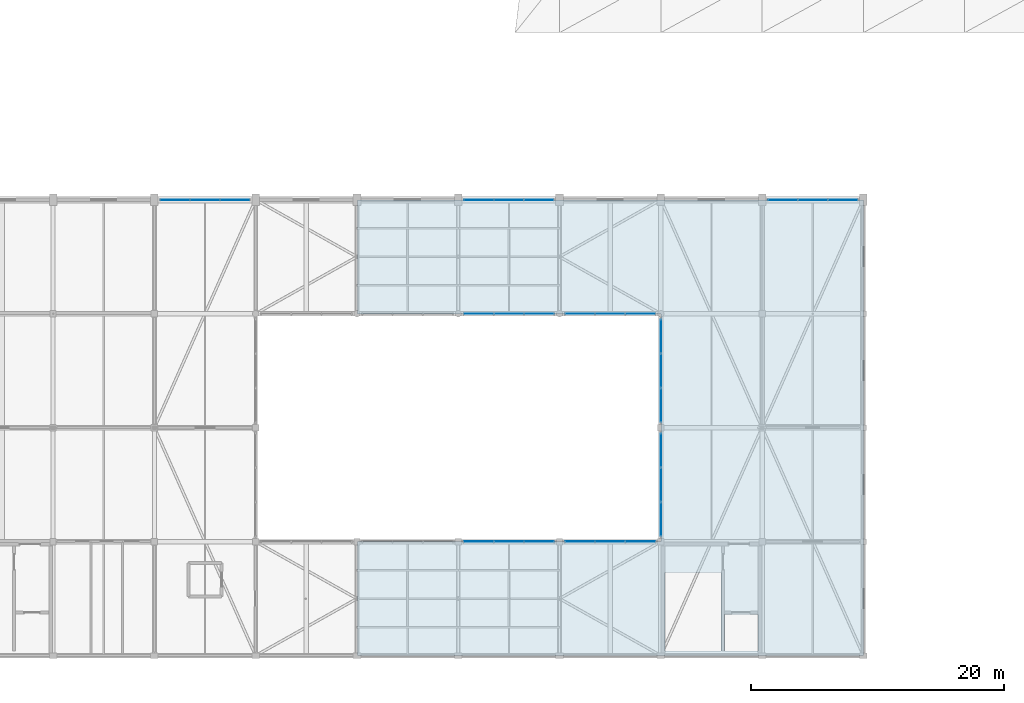
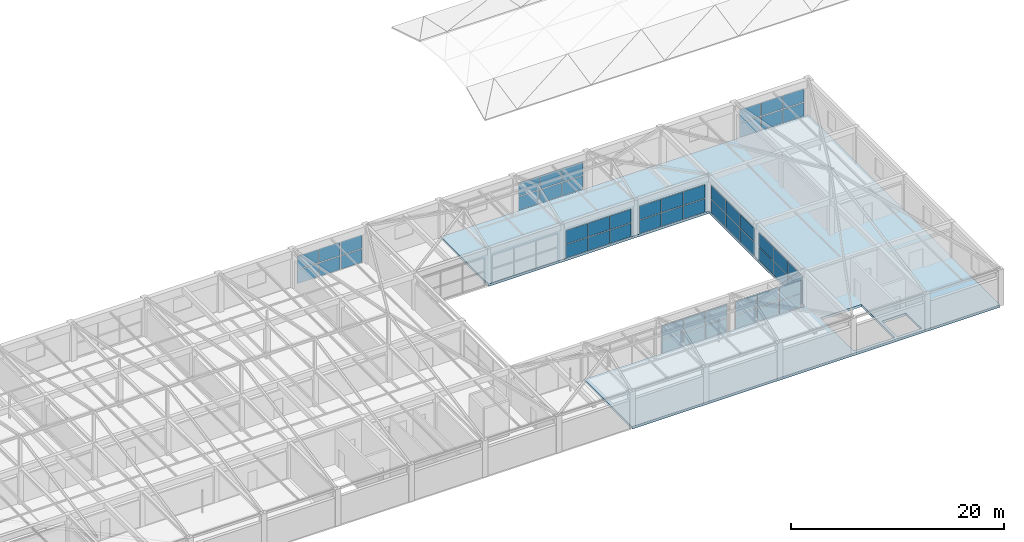
# One storey, part 50 of 65: 54 plates, 1 slab, 9 elements without a shape of their own.
"""IFC4 building model written with IfcOpenShell, lengths in metres."""

from ifc_helpers import new_model, si_unit, direction, frame, origin, origin_2d, place, context, subcontext, project, spatial, polyline, rectangle, outline, extrude, material, layer, layer_set, type_object, element, aggregate, save


model = new_model("IFC4")

# Units and contexts
model_context = context("Model", 3, precision=1e-05, world=origin(), true_north=direction((0.0, 1.0)))
body_context = subcontext(model_context, "Body", "Model", "MODEL_VIEW")
ifc_project = project(units=[si_unit("LENGTHUNIT", "METRE"), si_unit("AREAUNIT", "SQUARE_METRE"), si_unit("VOLUMEUNIT", "CUBIC_METRE"), si_unit("PLANEANGLEUNIT", "RADIAN"), si_unit("MASSUNIT", "GRAM", prefix="KILO")], contexts=[model_context])

# Site, building, storey
site_placement = place(None, origin())
site = spatial("IfcSite", under=ifc_project, at=site_placement, CompositionType="ELEMENT")
building_placement = place(site_placement, origin())
building = spatial("IfcBuilding", under=site, at=building_placement, Name="Varnabhumi Central Station", CompositionType="ELEMENT")
storey_placement = place(building_placement, frame((0.0, 0.0, 24.60009765625)))
storey = spatial("IfcBuildingStorey", under=building, at=storey_placement, Name="L05", CompositionType="ELEMENT", Elevation=24.60009765625)

# Curtain wall, plates
ifc_material_1 = material(Name="Anodised aluminium 6063-T6", Category="aluminium")
curtain_wall_type_1 = type_object("IfcCurtainWallType", Name="CW-PATIO-LOGGIA-L3", PredefinedType="NOTDEFINED", material=ifc_material_1)
curtain_wall_1_placement = place(storey_placement, origin())
curtain_wall_1 = element("IfcCurtainWall", 1, at=curtain_wall_1_placement, inside=storey, type_object=curtain_wall_type_1, Name="Curtain Wall CW-SP5S3", PredefinedType="NOTDEFINED")
ifc_material_2 = material(Name="Laminated low-E double glazing", Category="glass")
ifc_layer_1 = layer(ifc_material_2, 0.035888671875, Name="Laminated low-E double glazing", Category="glass")
ifc_layer_set_1 = layer_set([ifc_layer_1], Name="Laminated low-E double glazing")
plate_type_1 = type_object("IfcPlateType", Name="CW-PNL-GLZ-2", PredefinedType="CURTAIN_PANEL", material=ifc_layer_set_1)
plate_1_placement = place(storey_placement, frame((129.61328125, 9.0, 0.039794921875), z_axis=(0.0, 0.0, 1.0), x_axis=(1.0, 0.0, 0.0)))
plate_1 = element("IfcPlate", 2, at=plate_1_placement, type_object=plate_type_1, Name="Glazed Panel CW-SP5S3-P11", PredefinedType="CURTAIN_PANEL", context=body_context, shape_type="SweptSolid", body=[
    extrude(rectangle(XDim=2.306640625, YDim=0.035888671875, at=origin_2d()), origin(), (0.0, 0.0, 1.0), 1.5400390625),
])
plate_2_placement = place(storey_placement, frame((129.61328125, 9.0, 1.659912109375), z_axis=(0.0, 0.0, 1.0), x_axis=(1.0, 0.0, 0.0)))
plate_2 = element("IfcPlate", 3, at=plate_2_placement, type_object=plate_type_1, Name="Glazed Panel CW-SP5S3-P12", PredefinedType="CURTAIN_PANEL", context=body_context, shape_type="SweptSolid", body=[
    extrude(rectangle(XDim=2.306640625, YDim=0.035888671875, at=origin_2d()), origin(), (0.0, 0.0, 1.0), 1.5400390625),
])
plate_3_placement = place(storey_placement, frame((132.0, 9.0, 0.039794921875), z_axis=(0.0, 0.0, 1.0), x_axis=(1.0, 0.0, 0.0)))
plate_3 = element("IfcPlate", 4, at=plate_3_placement, type_object=plate_type_1, Name="Glazed Panel CW-SP5S3-P21", PredefinedType="CURTAIN_PANEL", context=body_context, shape_type="SweptSolid", body=[
    extrude(rectangle(XDim=2.306640625, YDim=0.035888671875, at=origin_2d()), origin(), (0.0, 0.0, 1.0), 1.5400390625),
])
plate_4_placement = place(storey_placement, frame((132.0, 9.0, 1.659912109375), z_axis=(0.0, 0.0, 1.0), x_axis=(1.0, 0.0, 0.0)))
plate_4 = element("IfcPlate", 5, at=plate_4_placement, type_object=plate_type_1, Name="Glazed Panel CW-SP5S3-P22", PredefinedType="CURTAIN_PANEL", context=body_context, shape_type="SweptSolid", body=[
    extrude(rectangle(XDim=2.306640625, YDim=0.035888671875, at=origin_2d()), origin(), (0.0, 0.0, 1.0), 1.5400390625),
])
plate_5_placement = place(storey_placement, frame((134.38671875, 9.0, 0.039794921875), z_axis=(0.0, 0.0, 1.0), x_axis=(1.0, 0.0, 0.0)))
plate_5 = element("IfcPlate", 6, at=plate_5_placement, type_object=plate_type_1, Name="Glazed Panel CW-SP5S3-P31", PredefinedType="CURTAIN_PANEL", context=body_context, shape_type="SweptSolid", body=[
    extrude(rectangle(XDim=2.306640625, YDim=0.035888671875, at=origin_2d()), origin(), (0.0, 0.0, 1.0), 1.5400390625),
])
plate_6_placement = place(storey_placement, frame((134.38671875, 9.0, 1.659912109375), z_axis=(0.0, 0.0, 1.0), x_axis=(1.0, 0.0, 0.0)))
plate_6 = element("IfcPlate", 7, at=plate_6_placement, type_object=plate_type_1, Name="Glazed Panel CW-SP5S3-P32", PredefinedType="CURTAIN_PANEL", context=body_context, shape_type="SweptSolid", body=[
    extrude(rectangle(XDim=2.306640625, YDim=0.035888671875, at=origin_2d()), origin(), (0.0, 0.0, 1.0), 1.5400390625),
])
aggregate(curtain_wall_1, [plate_1, plate_2, plate_3, plate_4, plate_5, plate_6])

curtain_wall_2_placement = place(storey_placement, origin())
curtain_wall_2 = element("IfcCurtainWall", 8, at=curtain_wall_2_placement, inside=storey, type_object=curtain_wall_type_1, Name="Curtain Wall CW-SP5N3", PredefinedType="NOTDEFINED")
plate_7_placement = place(storey_placement, frame((129.61328125, 27.0, 0.039794921875), z_axis=(0.0, 0.0, 1.0), x_axis=(1.0, 0.0, 0.0)))
plate_7 = element("IfcPlate", 9, at=plate_7_placement, type_object=plate_type_1, Name="Glazed Panel CW-SP5N3-P11", PredefinedType="CURTAIN_PANEL", context=body_context, shape_type="SweptSolid", body=[
    extrude(rectangle(XDim=2.306640625, YDim=0.035888671875, at=origin_2d()), origin(), (0.0, 0.0, 1.0), 1.5400390625),
])
plate_8_placement = place(storey_placement, frame((129.61328125, 27.0, 1.659912109375), z_axis=(0.0, 0.0, 1.0), x_axis=(1.0, 0.0, 0.0)))
plate_8 = element("IfcPlate", 10, at=plate_8_placement, type_object=plate_type_1, Name="Glazed Panel CW-SP5N3-P12", PredefinedType="CURTAIN_PANEL", context=body_context, shape_type="SweptSolid", body=[
    extrude(rectangle(XDim=2.306640625, YDim=0.035888671875, at=origin_2d()), origin(), (0.0, 0.0, 1.0), 1.5400390625),
])
plate_9_placement = place(storey_placement, frame((132.0, 27.0, 0.039794921875), z_axis=(0.0, 0.0, 1.0), x_axis=(1.0, 0.0, 0.0)))
plate_9 = element("IfcPlate", 11, at=plate_9_placement, type_object=plate_type_1, Name="Glazed Panel CW-SP5N3-P21", PredefinedType="CURTAIN_PANEL", context=body_context, shape_type="SweptSolid", body=[
    extrude(rectangle(XDim=2.306640625, YDim=0.035888671875, at=origin_2d()), origin(), (0.0, 0.0, 1.0), 1.5400390625),
])
plate_10_placement = place(storey_placement, frame((132.0, 27.0, 1.659912109375), z_axis=(0.0, 0.0, 1.0), x_axis=(1.0, 0.0, 0.0)))
plate_10 = element("IfcPlate", 12, at=plate_10_placement, type_object=plate_type_1, Name="Glazed Panel CW-SP5N3-P22", PredefinedType="CURTAIN_PANEL", context=body_context, shape_type="SweptSolid", body=[
    extrude(rectangle(XDim=2.306640625, YDim=0.035888671875, at=origin_2d()), origin(), (0.0, 0.0, 1.0), 1.5400390625),
])
plate_11_placement = place(storey_placement, frame((134.38671875, 27.0, 0.039794921875), z_axis=(0.0, 0.0, 1.0), x_axis=(1.0, 0.0, 0.0)))
plate_11 = element("IfcPlate", 13, at=plate_11_placement, type_object=plate_type_1, Name="Glazed Panel CW-SP5N3-P31", PredefinedType="CURTAIN_PANEL", context=body_context, shape_type="SweptSolid", body=[
    extrude(rectangle(XDim=2.306640625, YDim=0.035888671875, at=origin_2d()), origin(), (0.0, 0.0, 1.0), 1.5400390625),
])
plate_12_placement = place(storey_placement, frame((134.38671875, 27.0, 1.659912109375), z_axis=(0.0, 0.0, 1.0), x_axis=(1.0, 0.0, 0.0)))
plate_12 = element("IfcPlate", 14, at=plate_12_placement, type_object=plate_type_1, Name="Glazed Panel CW-SP5N3-P32", PredefinedType="CURTAIN_PANEL", context=body_context, shape_type="SweptSolid", body=[
    extrude(rectangle(XDim=2.306640625, YDim=0.035888671875, at=origin_2d()), origin(), (0.0, 0.0, 1.0), 1.5400390625),
])
aggregate(curtain_wall_2, [plate_7, plate_8, plate_9, plate_10, plate_11, plate_12])

curtain_wall_type_2 = type_object("IfcCurtainWallType", Name="CW-SPINE-SCREEN-L0", PredefinedType="NOTDEFINED", material=ifc_material_1)
curtain_wall_3_placement = place(storey_placement, origin())
curtain_wall_3 = element("IfcCurtainWall", 15, at=curtain_wall_3_placement, inside=storey, type_object=curtain_wall_type_2, Name="Curtain Wall CW-SS515", PredefinedType="NOTDEFINED")
ifc_layer_2 = layer(ifc_material_2, 0.035888671875, Name="Laminated low-E double glazing", Category="glass")
ifc_layer_set_2 = layer_set([ifc_layer_2], Name="Laminated low-E double glazing")
plate_type_2 = type_object("IfcPlateType", Name="CW-PNL-GLZ-3", PredefinedType="CURTAIN_PANEL", material=ifc_layer_set_2)
plate_13_placement = place(storey_placement, frame((153.63330078125, 36.0, 0.039794921875), z_axis=(0.0, 0.0, 1.0), x_axis=(1.0, 0.0, 0.0)))
plate_13 = element("IfcPlate", 16, at=plate_13_placement, type_object=plate_type_2, Name="Glazed Panel CW-SS515-P11", PredefinedType="CURTAIN_PANEL", context=body_context, shape_type="SweptSolid", body=[
    extrude(rectangle(XDim=2.28662109375, YDim=0.035888671875, at=origin_2d()), origin(), (0.0, 0.0, 1.0), 1.5400390625),
])
plate_14_placement = place(storey_placement, frame((153.63330078125, 36.0, 1.659912109375), z_axis=(0.0, 0.0, 1.0), x_axis=(1.0, 0.0, 0.0)))
plate_14 = element("IfcPlate", 17, at=plate_14_placement, type_object=plate_type_2, Name="Glazed Panel CW-SS515-P12", PredefinedType="CURTAIN_PANEL", context=body_context, shape_type="SweptSolid", body=[
    extrude(rectangle(XDim=2.28662109375, YDim=0.035888671875, at=origin_2d()), origin(), (0.0, 0.0, 1.0), 1.5400390625),
])
plate_15_placement = place(storey_placement, frame((156.0, 36.0, 0.039794921875), z_axis=(0.0, 0.0, 1.0), x_axis=(1.0, 0.0, 0.0)))
plate_15 = element("IfcPlate", 18, at=plate_15_placement, type_object=plate_type_2, Name="Glazed Panel CW-SS515-P21", PredefinedType="CURTAIN_PANEL", context=body_context, shape_type="SweptSolid", body=[
    extrude(rectangle(XDim=2.28662109375, YDim=0.035888671875, at=origin_2d()), origin(), (0.0, 0.0, 1.0), 1.5400390625),
])
plate_16_placement = place(storey_placement, frame((156.0, 36.0, 1.659912109375), z_axis=(0.0, 0.0, 1.0), x_axis=(1.0, 0.0, 0.0)))
plate_16 = element("IfcPlate", 19, at=plate_16_placement, type_object=plate_type_2, Name="Glazed Panel CW-SS515-P22", PredefinedType="CURTAIN_PANEL", context=body_context, shape_type="SweptSolid", body=[
    extrude(rectangle(XDim=2.28662109375, YDim=0.035888671875, at=origin_2d()), origin(), (0.0, 0.0, 1.0), 1.5400390625),
])
plate_17_placement = place(storey_placement, frame((158.36669921875, 36.0, 0.039794921875), z_axis=(0.0, 0.0, 1.0), x_axis=(1.0, 0.0, 0.0)))
plate_17 = element("IfcPlate", 20, at=plate_17_placement, type_object=plate_type_2, Name="Glazed Panel CW-SS515-P31", PredefinedType="CURTAIN_PANEL", context=body_context, shape_type="SweptSolid", body=[
    extrude(rectangle(XDim=2.28662109375, YDim=0.035888671875, at=origin_2d()), origin(), (0.0, 0.0, 1.0), 1.5400390625),
])
plate_18_placement = place(storey_placement, frame((158.36669921875, 36.0, 1.659912109375), z_axis=(0.0, 0.0, 1.0), x_axis=(1.0, 0.0, 0.0)))
plate_18 = element("IfcPlate", 21, at=plate_18_placement, type_object=plate_type_2, Name="Glazed Panel CW-SS515-P32", PredefinedType="CURTAIN_PANEL", context=body_context, shape_type="SweptSolid", body=[
    extrude(rectangle(XDim=2.28662109375, YDim=0.035888671875, at=origin_2d()), origin(), (0.0, 0.0, 1.0), 1.5400390625),
])
aggregate(curtain_wall_3, [plate_13, plate_14, plate_15, plate_16, plate_17, plate_18])

curtain_wall_4_placement = place(storey_placement, origin())
curtain_wall_4 = element("IfcCurtainWall", 22, at=curtain_wall_4_placement, inside=storey, type_object=curtain_wall_type_1, Name="Curtain Wall CW-SP5W1", PredefinedType="NOTDEFINED")
plate_19_placement = place(storey_placement, frame((144.0, 10.780029296875, 0.039794921875), z_axis=(0.0, 0.0, 1.0), x_axis=(0.0, 1.0, 0.0)))
plate_19 = element("IfcPlate", 23, at=plate_19_placement, type_object=plate_type_2, Name="Glazed Panel CW-SP5W1-P11", PredefinedType="CURTAIN_PANEL", context=body_context, shape_type="SweptSolid", body=[
    extrude(rectangle(XDim=2.639892578125, YDim=0.035888671875, at=origin_2d()), origin(), (0.0, 0.0, 1.0), 1.5400390625),
])
plate_20_placement = place(storey_placement, frame((144.0, 10.780029296875, 1.659912109375), z_axis=(0.0, 0.0, 1.0), x_axis=(0.0, 1.0, 0.0)))
plate_20 = element("IfcPlate", 24, at=plate_20_placement, type_object=plate_type_2, Name="Glazed Panel CW-SP5W1-P12", PredefinedType="CURTAIN_PANEL", context=body_context, shape_type="SweptSolid", body=[
    extrude(rectangle(XDim=2.639892578125, YDim=0.035888671875, at=origin_2d()), origin(), (0.0, 0.0, 1.0), 1.5400390625),
])
plate_21_placement = place(storey_placement, frame((144.0, 13.5, 0.039794921875), z_axis=(0.0, 0.0, 1.0), x_axis=(0.0, 1.0, 0.0)))
plate_21 = element("IfcPlate", 25, at=plate_21_placement, type_object=plate_type_2, Name="Glazed Panel CW-SP5W1-P21", PredefinedType="CURTAIN_PANEL", context=body_context, shape_type="SweptSolid", body=[
    extrude(rectangle(XDim=2.639892578125, YDim=0.035888671875, at=origin_2d()), origin(), (0.0, 0.0, 1.0), 1.5400390625),
])
plate_22_placement = place(storey_placement, frame((144.0, 13.5, 1.659912109375), z_axis=(0.0, 0.0, 1.0), x_axis=(0.0, 1.0, 0.0)))
plate_22 = element("IfcPlate", 26, at=plate_22_placement, type_object=plate_type_2, Name="Glazed Panel CW-SP5W1-P22", PredefinedType="CURTAIN_PANEL", context=body_context, shape_type="SweptSolid", body=[
    extrude(rectangle(XDim=2.639892578125, YDim=0.035888671875, at=origin_2d()), origin(), (0.0, 0.0, 1.0), 1.5400390625),
])
plate_23_placement = place(storey_placement, frame((144.0, 16.219970703125, 0.039794921875), z_axis=(0.0, 0.0, 1.0), x_axis=(0.0, 1.0, 0.0)))
plate_23 = element("IfcPlate", 27, at=plate_23_placement, type_object=plate_type_2, Name="Glazed Panel CW-SP5W1-P31", PredefinedType="CURTAIN_PANEL", context=body_context, shape_type="SweptSolid", body=[
    extrude(rectangle(XDim=2.639892578125, YDim=0.035888671875, at=origin_2d()), origin(), (0.0, 0.0, 1.0), 1.5400390625),
])
plate_24_placement = place(storey_placement, frame((144.0, 16.219970703125, 1.659912109375), z_axis=(0.0, 0.0, 1.0), x_axis=(0.0, 1.0, 0.0)))
plate_24 = element("IfcPlate", 28, at=plate_24_placement, type_object=plate_type_2, Name="Glazed Panel CW-SP5W1-P32", PredefinedType="CURTAIN_PANEL", context=body_context, shape_type="SweptSolid", body=[
    extrude(rectangle(XDim=2.639892578125, YDim=0.035888671875, at=origin_2d()), origin(), (0.0, 0.0, 1.0), 1.5400390625),
])
aggregate(curtain_wall_4, [plate_19, plate_20, plate_21, plate_22, plate_23, plate_24])

curtain_wall_5_placement = place(storey_placement, origin())
curtain_wall_5 = element("IfcCurtainWall", 29, at=curtain_wall_5_placement, inside=storey, type_object=curtain_wall_type_1, Name="Curtain Wall CW-SP5W2", PredefinedType="NOTDEFINED")
plate_25_placement = place(storey_placement, frame((144.0, 19.780029296875, 0.039794921875), z_axis=(0.0, 0.0, 1.0), x_axis=(0.0, 1.0, 0.0)))
plate_25 = element("IfcPlate", 30, at=plate_25_placement, type_object=plate_type_2, Name="Glazed Panel CW-SP5W2-P11", PredefinedType="CURTAIN_PANEL", context=body_context, shape_type="SweptSolid", body=[
    extrude(rectangle(XDim=2.639892578125, YDim=0.035888671875, at=origin_2d()), origin(), (0.0, 0.0, 1.0), 1.5400390625),
])
plate_26_placement = place(storey_placement, frame((144.0, 19.780029296875, 1.659912109375), z_axis=(0.0, 0.0, 1.0), x_axis=(0.0, 1.0, 0.0)))
plate_26 = element("IfcPlate", 31, at=plate_26_placement, type_object=plate_type_2, Name="Glazed Panel CW-SP5W2-P12", PredefinedType="CURTAIN_PANEL", context=body_context, shape_type="SweptSolid", body=[
    extrude(rectangle(XDim=2.639892578125, YDim=0.035888671875, at=origin_2d()), origin(), (0.0, 0.0, 1.0), 1.5400390625),
])
plate_27_placement = place(storey_placement, frame((144.0, 22.5, 0.039794921875), z_axis=(0.0, 0.0, 1.0), x_axis=(0.0, 1.0, 0.0)))
plate_27 = element("IfcPlate", 32, at=plate_27_placement, type_object=plate_type_2, Name="Glazed Panel CW-SP5W2-P21", PredefinedType="CURTAIN_PANEL", context=body_context, shape_type="SweptSolid", body=[
    extrude(rectangle(XDim=2.639892578125, YDim=0.035888671875, at=origin_2d()), origin(), (0.0, 0.0, 1.0), 1.5400390625),
])
plate_28_placement = place(storey_placement, frame((144.0, 22.5, 1.659912109375), z_axis=(0.0, 0.0, 1.0), x_axis=(0.0, 1.0, 0.0)))
plate_28 = element("IfcPlate", 33, at=plate_28_placement, type_object=plate_type_2, Name="Glazed Panel CW-SP5W2-P22", PredefinedType="CURTAIN_PANEL", context=body_context, shape_type="SweptSolid", body=[
    extrude(rectangle(XDim=2.639892578125, YDim=0.035888671875, at=origin_2d()), origin(), (0.0, 0.0, 1.0), 1.5400390625),
])
plate_29_placement = place(storey_placement, frame((144.0, 25.219970703125, 0.039794921875), z_axis=(0.0, 0.0, 1.0), x_axis=(0.0, 1.0, 0.0)))
plate_29 = element("IfcPlate", 34, at=plate_29_placement, type_object=plate_type_2, Name="Glazed Panel CW-SP5W2-P31", PredefinedType="CURTAIN_PANEL", context=body_context, shape_type="SweptSolid", body=[
    extrude(rectangle(XDim=2.639892578125, YDim=0.035888671875, at=origin_2d()), origin(), (0.0, 0.0, 1.0), 1.5400390625),
])
plate_30_placement = place(storey_placement, frame((144.0, 25.219970703125, 1.659912109375), z_axis=(0.0, 0.0, 1.0), x_axis=(0.0, 1.0, 0.0)))
plate_30 = element("IfcPlate", 35, at=plate_30_placement, type_object=plate_type_2, Name="Glazed Panel CW-SP5W2-P32", PredefinedType="CURTAIN_PANEL", context=body_context, shape_type="SweptSolid", body=[
    extrude(rectangle(XDim=2.639892578125, YDim=0.035888671875, at=origin_2d()), origin(), (0.0, 0.0, 1.0), 1.5400390625),
])
aggregate(curtain_wall_5, [plate_25, plate_26, plate_27, plate_28, plate_29, plate_30])

curtain_wall_6_placement = place(storey_placement, origin())
curtain_wall_6 = element("IfcCurtainWall", 36, at=curtain_wall_6_placement, inside=storey, type_object=curtain_wall_type_1, Name="Curtain Wall CW-SP5S4", PredefinedType="NOTDEFINED")
plate_31_placement = place(storey_placement, frame((137.61328125, 9.0, 0.039794921875), z_axis=(0.0, 0.0, 1.0), x_axis=(1.0, 0.0, 0.0)))
plate_31 = element("IfcPlate", 37, at=plate_31_placement, type_object=plate_type_2, Name="Glazed Panel CW-SP5S4-P11", PredefinedType="CURTAIN_PANEL", context=body_context, shape_type="SweptSolid", body=[
    extrude(rectangle(XDim=2.306640625, YDim=0.035888671875, at=origin_2d()), origin(), (0.0, 0.0, 1.0), 1.5400390625),
])
plate_32_placement = place(storey_placement, frame((137.61328125, 9.0, 1.659912109375), z_axis=(0.0, 0.0, 1.0), x_axis=(1.0, 0.0, 0.0)))
plate_32 = element("IfcPlate", 38, at=plate_32_placement, type_object=plate_type_2, Name="Glazed Panel CW-SP5S4-P12", PredefinedType="CURTAIN_PANEL", context=body_context, shape_type="SweptSolid", body=[
    extrude(rectangle(XDim=2.306640625, YDim=0.035888671875, at=origin_2d()), origin(), (0.0, 0.0, 1.0), 1.5400390625),
])
plate_33_placement = place(storey_placement, frame((140.0, 9.0, 0.039794921875), z_axis=(0.0, 0.0, 1.0), x_axis=(1.0, 0.0, 0.0)))
plate_33 = element("IfcPlate", 39, at=plate_33_placement, type_object=plate_type_2, Name="Glazed Panel CW-SP5S4-P21", PredefinedType="CURTAIN_PANEL", context=body_context, shape_type="SweptSolid", body=[
    extrude(rectangle(XDim=2.306640625, YDim=0.035888671875, at=origin_2d()), origin(), (0.0, 0.0, 1.0), 1.5400390625),
])
plate_34_placement = place(storey_placement, frame((140.0, 9.0, 1.659912109375), z_axis=(0.0, 0.0, 1.0), x_axis=(1.0, 0.0, 0.0)))
plate_34 = element("IfcPlate", 40, at=plate_34_placement, type_object=plate_type_2, Name="Glazed Panel CW-SP5S4-P22", PredefinedType="CURTAIN_PANEL", context=body_context, shape_type="SweptSolid", body=[
    extrude(rectangle(XDim=2.306640625, YDim=0.035888671875, at=origin_2d()), origin(), (0.0, 0.0, 1.0), 1.5400390625),
])
plate_35_placement = place(storey_placement, frame((142.38671875, 9.0, 0.039794921875), z_axis=(0.0, 0.0, 1.0), x_axis=(1.0, 0.0, 0.0)))
plate_35 = element("IfcPlate", 41, at=plate_35_placement, type_object=plate_type_2, Name="Glazed Panel CW-SP5S4-P31", PredefinedType="CURTAIN_PANEL", context=body_context, shape_type="SweptSolid", body=[
    extrude(rectangle(XDim=2.306640625, YDim=0.035888671875, at=origin_2d()), origin(), (0.0, 0.0, 1.0), 1.5400390625),
])
plate_36_placement = place(storey_placement, frame((142.38671875, 9.0, 1.659912109375), z_axis=(0.0, 0.0, 1.0), x_axis=(1.0, 0.0, 0.0)))
plate_36 = element("IfcPlate", 42, at=plate_36_placement, type_object=plate_type_2, Name="Glazed Panel CW-SP5S4-P32", PredefinedType="CURTAIN_PANEL", context=body_context, shape_type="SweptSolid", body=[
    extrude(rectangle(XDim=2.306640625, YDim=0.035888671875, at=origin_2d()), origin(), (0.0, 0.0, 1.0), 1.5400390625),
])
aggregate(curtain_wall_6, [plate_31, plate_32, plate_33, plate_34, plate_35, plate_36])

curtain_wall_7_placement = place(storey_placement, origin())
curtain_wall_7 = element("IfcCurtainWall", 43, at=curtain_wall_7_placement, inside=storey, type_object=curtain_wall_type_1, Name="Curtain Wall CW-SP5N4", PredefinedType="NOTDEFINED")
plate_37_placement = place(storey_placement, frame((137.61328125, 27.0, 0.039794921875), z_axis=(0.0, 0.0, 1.0), x_axis=(1.0, 0.0, 0.0)))
plate_37 = element("IfcPlate", 44, at=plate_37_placement, type_object=plate_type_2, Name="Glazed Panel CW-SP5N4-P11", PredefinedType="CURTAIN_PANEL", context=body_context, shape_type="SweptSolid", body=[
    extrude(rectangle(XDim=2.306640625, YDim=0.035888671875, at=origin_2d()), origin(), (0.0, 0.0, 1.0), 1.5400390625),
])
plate_38_placement = place(storey_placement, frame((137.61328125, 27.0, 1.659912109375), z_axis=(0.0, 0.0, 1.0), x_axis=(1.0, 0.0, 0.0)))
plate_38 = element("IfcPlate", 45, at=plate_38_placement, type_object=plate_type_2, Name="Glazed Panel CW-SP5N4-P12", PredefinedType="CURTAIN_PANEL", context=body_context, shape_type="SweptSolid", body=[
    extrude(rectangle(XDim=2.306640625, YDim=0.035888671875, at=origin_2d()), origin(), (0.0, 0.0, 1.0), 1.5400390625),
])
plate_39_placement = place(storey_placement, frame((140.0, 27.0, 0.039794921875), z_axis=(0.0, 0.0, 1.0), x_axis=(1.0, 0.0, 0.0)))
plate_39 = element("IfcPlate", 46, at=plate_39_placement, type_object=plate_type_2, Name="Glazed Panel CW-SP5N4-P21", PredefinedType="CURTAIN_PANEL", context=body_context, shape_type="SweptSolid", body=[
    extrude(rectangle(XDim=2.306640625, YDim=0.035888671875, at=origin_2d()), origin(), (0.0, 0.0, 1.0), 1.5400390625),
])
plate_40_placement = place(storey_placement, frame((140.0, 27.0, 1.659912109375), z_axis=(0.0, 0.0, 1.0), x_axis=(1.0, 0.0, 0.0)))
plate_40 = element("IfcPlate", 47, at=plate_40_placement, type_object=plate_type_2, Name="Glazed Panel CW-SP5N4-P22", PredefinedType="CURTAIN_PANEL", context=body_context, shape_type="SweptSolid", body=[
    extrude(rectangle(XDim=2.306640625, YDim=0.035888671875, at=origin_2d()), origin(), (0.0, 0.0, 1.0), 1.5400390625),
])
plate_41_placement = place(storey_placement, frame((142.38671875, 27.0, 0.039794921875), z_axis=(0.0, 0.0, 1.0), x_axis=(1.0, 0.0, 0.0)))
plate_41 = element("IfcPlate", 48, at=plate_41_placement, type_object=plate_type_2, Name="Glazed Panel CW-SP5N4-P31", PredefinedType="CURTAIN_PANEL", context=body_context, shape_type="SweptSolid", body=[
    extrude(rectangle(XDim=2.306640625, YDim=0.035888671875, at=origin_2d()), origin(), (0.0, 0.0, 1.0), 1.5400390625),
])
plate_42_placement = place(storey_placement, frame((142.38671875, 27.0, 1.659912109375), z_axis=(0.0, 0.0, 1.0), x_axis=(1.0, 0.0, 0.0)))
plate_42 = element("IfcPlate", 49, at=plate_42_placement, type_object=plate_type_2, Name="Glazed Panel CW-SP5N4-P32", PredefinedType="CURTAIN_PANEL", context=body_context, shape_type="SweptSolid", body=[
    extrude(rectangle(XDim=2.306640625, YDim=0.035888671875, at=origin_2d()), origin(), (0.0, 0.0, 1.0), 1.5400390625),
])
aggregate(curtain_wall_7, [plate_37, plate_38, plate_39, plate_40, plate_41, plate_42])

curtain_wall_8_placement = place(storey_placement, origin())
curtain_wall_8 = element("IfcCurtainWall", 50, at=curtain_wall_8_placement, inside=storey, type_object=curtain_wall_type_2, Name="Curtain Wall CW-SS509", PredefinedType="NOTDEFINED")
ifc_layer_3 = layer(ifc_material_2, 0.035888671875, Name="Laminated low-E double glazing", Category="glass")
ifc_layer_set_3 = layer_set([ifc_layer_3], Name="Laminated low-E double glazing")
plate_type_3 = type_object("IfcPlateType", Name="CW-PNL-GLZ-6", PredefinedType="CURTAIN_PANEL", material=ifc_layer_set_3)
plate_43_placement = place(storey_placement, frame((105.63330078125, 36.0, 0.039794921875), z_axis=(0.0, 0.0, 1.0), x_axis=(1.0, 0.0, 0.0)))
plate_43 = element("IfcPlate", 51, at=plate_43_placement, type_object=plate_type_3, Name="Glazed Panel CW-SS509-P11", PredefinedType="CURTAIN_PANEL", context=body_context, shape_type="SweptSolid", body=[
    extrude(rectangle(XDim=2.28662109375, YDim=0.035888671875, at=origin_2d()), origin(), (0.0, 0.0, 1.0), 1.5400390625),
])
plate_44_placement = place(storey_placement, frame((105.63330078125, 36.0, 1.659912109375), z_axis=(0.0, 0.0, 1.0), x_axis=(1.0, 0.0, 0.0)))
plate_44 = element("IfcPlate", 52, at=plate_44_placement, type_object=plate_type_3, Name="Glazed Panel CW-SS509-P12", PredefinedType="CURTAIN_PANEL", context=body_context, shape_type="SweptSolid", body=[
    extrude(rectangle(XDim=2.28662109375, YDim=0.035888671875, at=origin_2d()), origin(), (0.0, 0.0, 1.0), 1.5400390625),
])
plate_45_placement = place(storey_placement, frame((108.0, 36.0, 0.039794921875), z_axis=(0.0, 0.0, 1.0), x_axis=(1.0, 0.0, 0.0)))
plate_45 = element("IfcPlate", 53, at=plate_45_placement, type_object=plate_type_3, Name="Glazed Panel CW-SS509-P21", PredefinedType="CURTAIN_PANEL", context=body_context, shape_type="SweptSolid", body=[
    extrude(rectangle(XDim=2.28662109375, YDim=0.035888671875, at=origin_2d()), origin(), (0.0, 0.0, 1.0), 1.5400390625),
])
plate_46_placement = place(storey_placement, frame((108.0, 36.0, 1.659912109375), z_axis=(0.0, 0.0, 1.0), x_axis=(1.0, 0.0, 0.0)))
plate_46 = element("IfcPlate", 54, at=plate_46_placement, type_object=plate_type_3, Name="Glazed Panel CW-SS509-P22", PredefinedType="CURTAIN_PANEL", context=body_context, shape_type="SweptSolid", body=[
    extrude(rectangle(XDim=2.28662109375, YDim=0.035888671875, at=origin_2d()), origin(), (0.0, 0.0, 1.0), 1.5400390625),
])
plate_47_placement = place(storey_placement, frame((110.36669921875, 36.0, 0.039794921875), z_axis=(0.0, 0.0, 1.0), x_axis=(1.0, 0.0, 0.0)))
plate_47 = element("IfcPlate", 55, at=plate_47_placement, type_object=plate_type_3, Name="Glazed Panel CW-SS509-P31", PredefinedType="CURTAIN_PANEL", context=body_context, shape_type="SweptSolid", body=[
    extrude(rectangle(XDim=2.28662109375, YDim=0.035888671875, at=origin_2d()), origin(), (0.0, 0.0, 1.0), 1.5400390625),
])
plate_48_placement = place(storey_placement, frame((110.36669921875, 36.0, 1.659912109375), z_axis=(0.0, 0.0, 1.0), x_axis=(1.0, 0.0, 0.0)))
plate_48 = element("IfcPlate", 56, at=plate_48_placement, type_object=plate_type_3, Name="Glazed Panel CW-SS509-P32", PredefinedType="CURTAIN_PANEL", context=body_context, shape_type="SweptSolid", body=[
    extrude(rectangle(XDim=2.28662109375, YDim=0.035888671875, at=origin_2d()), origin(), (0.0, 0.0, 1.0), 1.5400390625),
])
aggregate(curtain_wall_8, [plate_43, plate_44, plate_45, plate_46, plate_47, plate_48])

curtain_wall_9_placement = place(storey_placement, origin())
curtain_wall_9 = element("IfcCurtainWall", 57, at=curtain_wall_9_placement, inside=storey, type_object=curtain_wall_type_2, Name="Curtain Wall CW-SS512", PredefinedType="NOTDEFINED")
ifc_layer_4 = layer(ifc_material_2, 0.035888671875, Name="Laminated low-E double glazing", Category="glass")
ifc_layer_set_4 = layer_set([ifc_layer_4], Name="Laminated low-E double glazing")
plate_type_4 = type_object("IfcPlateType", Name="CW-PNL-GLZ-9", PredefinedType="CURTAIN_PANEL", material=ifc_layer_set_4)
plate_49_placement = place(storey_placement, frame((129.63330078125, 36.0, 0.039794921875), z_axis=(0.0, 0.0, 1.0), x_axis=(1.0, 0.0, 0.0)))
plate_49 = element("IfcPlate", 58, at=plate_49_placement, type_object=plate_type_4, Name="Glazed Panel CW-SS512-P11", PredefinedType="CURTAIN_PANEL", context=body_context, shape_type="SweptSolid", body=[
    extrude(rectangle(XDim=2.28662109375, YDim=0.035888671875, at=origin_2d()), origin(), (0.0, 0.0, 1.0), 1.5400390625),
])
plate_50_placement = place(storey_placement, frame((129.63330078125, 36.0, 1.659912109375), z_axis=(0.0, 0.0, 1.0), x_axis=(1.0, 0.0, 0.0)))
plate_50 = element("IfcPlate", 59, at=plate_50_placement, type_object=plate_type_4, Name="Glazed Panel CW-SS512-P12", PredefinedType="CURTAIN_PANEL", context=body_context, shape_type="SweptSolid", body=[
    extrude(rectangle(XDim=2.28662109375, YDim=0.035888671875, at=origin_2d()), origin(), (0.0, 0.0, 1.0), 1.5400390625),
])
plate_51_placement = place(storey_placement, frame((132.0, 36.0, 0.039794921875), z_axis=(0.0, 0.0, 1.0), x_axis=(1.0, 0.0, 0.0)))
plate_51 = element("IfcPlate", 60, at=plate_51_placement, type_object=plate_type_4, Name="Glazed Panel CW-SS512-P21", PredefinedType="CURTAIN_PANEL", context=body_context, shape_type="SweptSolid", body=[
    extrude(rectangle(XDim=2.28662109375, YDim=0.035888671875, at=origin_2d()), origin(), (0.0, 0.0, 1.0), 1.5400390625),
])
plate_52_placement = place(storey_placement, frame((132.0, 36.0, 1.659912109375), z_axis=(0.0, 0.0, 1.0), x_axis=(1.0, 0.0, 0.0)))
plate_52 = element("IfcPlate", 61, at=plate_52_placement, type_object=plate_type_4, Name="Glazed Panel CW-SS512-P22", PredefinedType="CURTAIN_PANEL", context=body_context, shape_type="SweptSolid", body=[
    extrude(rectangle(XDim=2.28662109375, YDim=0.035888671875, at=origin_2d()), origin(), (0.0, 0.0, 1.0), 1.5400390625),
])
plate_53_placement = place(storey_placement, frame((134.36669921875, 36.0, 0.039794921875), z_axis=(0.0, 0.0, 1.0), x_axis=(1.0, 0.0, 0.0)))
plate_53 = element("IfcPlate", 62, at=plate_53_placement, type_object=plate_type_4, Name="Glazed Panel CW-SS512-P31", PredefinedType="CURTAIN_PANEL", context=body_context, shape_type="SweptSolid", body=[
    extrude(rectangle(XDim=2.28662109375, YDim=0.035888671875, at=origin_2d()), origin(), (0.0, 0.0, 1.0), 1.5400390625),
])
plate_54_placement = place(storey_placement, frame((134.36669921875, 36.0, 1.659912109375), z_axis=(0.0, 0.0, 1.0), x_axis=(1.0, 0.0, 0.0)))
plate_54 = element("IfcPlate", 63, at=plate_54_placement, type_object=plate_type_4, Name="Glazed Panel CW-SS512-P32", PredefinedType="CURTAIN_PANEL", context=body_context, shape_type="SweptSolid", body=[
    extrude(rectangle(XDim=2.28662109375, YDim=0.035888671875, at=origin_2d()), origin(), (0.0, 0.0, 1.0), 1.5400390625),
])
aggregate(curtain_wall_9, [plate_49, plate_50, plate_51, plate_52, plate_53, plate_54])

# Slab
ifc_material_3 = material(Name="Concrete M40", Category="concrete")
ifc_layer_5 = layer(ifc_material_3, 0.280029296875, Name="Concrete M40", Category="concrete")
ifc_layer_set_5 = layer_set([ifc_layer_5], Name="Concrete M40")
slab_type = type_object("IfcSlabType", Name="SLB-OPS-HEAVY-280", PredefinedType="FLOOR", material=ifc_layer_set_5)
slab_placement = place(storey_placement, frame((0.0, 0.0, -0.280029296875)))
element("IfcSlab", 64, at=slab_placement, inside=storey, type_object=slab_type, Name="South Wing L05 Floor Slab Zone 3", PredefinedType="FLOOR", context=body_context, shape_type="SweptSolid", body=[
    extrude(outline(polyline([(120.06005859375, 0.0), (160.0, 0.0), (160.0, 36.0), (120.06005859375, 36.0), (120.06005859375, 27.0), (144.0, 27.0), (144.0, 9.0), (120.06005859375, 9.0), (120.06005859375, 0.0)]), holes=[polyline([(144.330078125, 0.35009765625), (148.760009765625, 0.35009765625), (148.760009765625, 6.580078125), (144.330078125, 6.580078125), (144.330078125, 0.35009765625)]), polyline([(149.0400390625, 0.35009765625), (151.669921875, 0.35009765625), (151.669921875, 3.25), (149.0400390625, 3.25), (149.0400390625, 0.35009765625)])]), origin(), (0.0, 0.0, 1.0), 0.280029296875),
])

save(model, "model.ifc")
